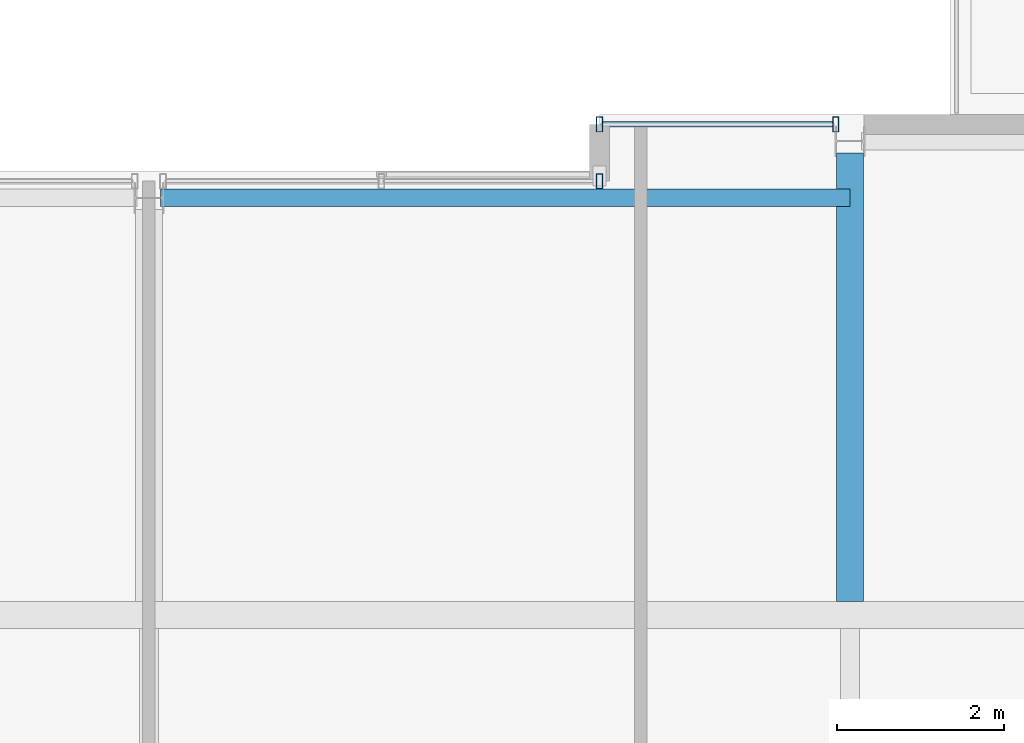
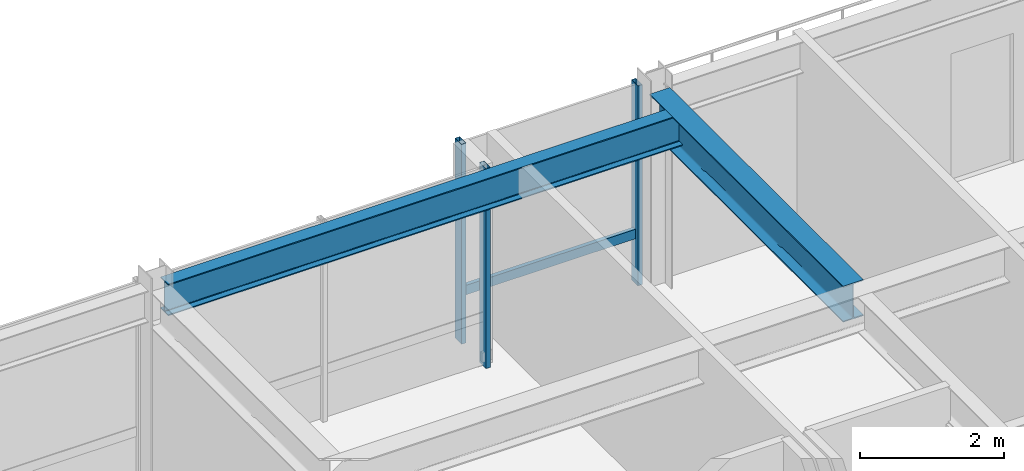
# One storey, part 25 of 34: 4 members, 2 beams, 2 elements without a shape of their own.
"""IFC4 building model written with IfcOpenShell, lengths in metres."""

from ifc_helpers import new_model, si_unit, direction, frame, origin, origin_2d, place, context, subcontext, project, spatial, hollow_rectangle, i_section, extrude, material, layer, layer_set, material_profile, profile_set, type_object, element, aggregate, save


model = new_model("IFC4")

# Units and contexts
model_context = context("Model", 3, precision=1e-05, world=origin(), true_north=direction((0.0, 1.0)))
body_context = subcontext(model_context, "Body", "Model", "MODEL_VIEW")
ifc_project = project(units=[si_unit("LENGTHUNIT", "METRE"), si_unit("AREAUNIT", "SQUARE_METRE"), si_unit("VOLUMEUNIT", "CUBIC_METRE"), si_unit("PLANEANGLEUNIT", "RADIAN"), si_unit("MASSUNIT", "GRAM", prefix="KILO")], contexts=[model_context])

# Site, building, storey
site_placement = place(None, origin())
site = spatial("IfcSite", under=ifc_project, at=site_placement, CompositionType="ELEMENT")
building_placement = place(site_placement, origin())
building = spatial("IfcBuilding", under=site, at=building_placement, Name="Drelvath Grand Hotel", CompositionType="ELEMENT")
storey_placement = place(building_placement, frame((0.0, 0.0, 272.300048828125)))
storey = spatial("IfcBuildingStorey", under=building, at=storey_placement, Name="L71", CompositionType="ELEMENT", Elevation=272.300048828125)

# Curtain wall, member
ifc_material_1 = material(Name="Platinum-Mist Anodised Aluminium Frame", Category="aluminium")
ifc_layer = layer(ifc_material_1, 0.199951171875)
ifc_layer_set = layer_set([ifc_layer], Name="Platinum-Mist Anodised Aluminium Frame")
curtain_wall_type = type_object("IfcCurtainWallType", Name="Stick Curtain Wall CW-05 Platinum Mist High-Rise", PredefinedType="NOTDEFINED", material=ifc_layer_set)
curtain_wall_1_placement = place(storey_placement, origin())
curtain_wall_1 = element("IfcCurtainWall", 1, at=curtain_wall_1_placement, inside=storey, type_object=curtain_wall_type, Name="L71 CW-05 Curtain Wall CW05-L71-NE1", PredefinedType="NOTDEFINED")
ifc_material_profile_1 = material_profile(ifc_material_1, hollow_rectangle(XDim=0.06494140625, YDim=0.159912109375, WallThickness=0.00390625, at=origin_2d()), Name="HSS160X65X4")
ifc_profile_set_1 = profile_set([ifc_material_profile_1], Name="Platinum-Mist Anodised Aluminium Frame")
member_type_1 = type_object("IfcMemberType", Name="Curtain Wall Horizontal Transom CW-05 HSS160X65X4", PredefinedType="USERDEFINED", material=ifc_profile_set_1)
member_1_placement = place(storey_placement, frame((5.43994140625, 49.080078125, 0.847412109375), z_axis=(1.0, 0.0, 0.0), x_axis=(0.0, 1.0, 0.0)))
member_1 = element("IfcMember", 2, at=member_1_placement, type_object=member_type_1, Name="CW05-L71-NE1 Sill Transom", ObjectType="TRANSOM", PredefinedType="USERDEFINED", context=body_context, shape_type="SweptSolid", body=[
    extrude(hollow_rectangle(XDim=0.06494140625, YDim=0.159912109375, WallThickness=0.00390625, at=origin_2d()), origin(), (0.0, 0.0, 1.0), 2.75),
])

curtain_wall_2_placement = place(storey_placement, origin())
curtain_wall_2 = element("IfcCurtainWall", 3, at=curtain_wall_2_placement, inside=storey, type_object=curtain_wall_type, Name="L71 CW-05 Curtain Wall CW05-L71-NM2", PredefinedType="NOTDEFINED")
ifc_material_profile_2 = material_profile(ifc_material_1, hollow_rectangle(XDim=0.074951171875, YDim=0.179931640625, WallThickness=0.0048828125, at=origin_2d()), Name="HSS180X75X5")
ifc_profile_set_2 = profile_set([ifc_material_profile_2], Name="Platinum-Mist Anodised Aluminium Frame")
member_type_2 = type_object("IfcMemberType", Name="Curtain Wall Vertical Mullion CW-05 HSS180X75X5", PredefinedType="MULLION", material=ifc_profile_set_2)
member_2_placement = place(storey_placement, frame((5.39990234375, 48.39990234375, 0.0), z_axis=(0.0, 0.0, 1.0), x_axis=(1.0, 0.0, 0.0)))
member_2 = element("IfcMember", 4, at=member_2_placement, type_object=member_type_2, Name="CW05-L71-NM2 Mullion 3", PredefinedType="MULLION", context=body_context, shape_type="SweptSolid", body=[
    extrude(hollow_rectangle(XDim=0.074951171875, YDim=0.179931640625, WallThickness=0.0048828125, at=origin_2d()), origin(), (0.0, 0.0, 1.0), 3.389892578125),
])
aggregate(curtain_wall_2, [member_2])

# Member
member_3_placement = place(storey_placement, frame((5.39990234375, 49.080078125, 0.0), z_axis=(0.0, 0.0, 1.0), x_axis=(1.0, 0.0, 0.0)))
member_3 = element("IfcMember", 5, at=member_3_placement, type_object=member_type_2, Name="CW05-L71-NE1 Mullion 1", PredefinedType="MULLION", context=body_context, shape_type="SweptSolid", body=[
    extrude(hollow_rectangle(XDim=0.074951171875, YDim=0.179931640625, WallThickness=0.0048828125, at=origin_2d()), origin(), (0.0, 0.0, 1.0), 3.389892578125),
])

member_4_placement = place(storey_placement, frame((8.22998046875, 49.080078125, 0.0), z_axis=(0.0, 0.0, 1.0), x_axis=(1.0, 0.0, 0.0)))
member_4 = element("IfcMember", 6, at=member_4_placement, type_object=member_type_2, Name="CW05-L71-NE1 Mullion 2", PredefinedType="MULLION", context=body_context, shape_type="SweptSolid", body=[
    extrude(hollow_rectangle(XDim=0.074951171875, YDim=0.179931640625, WallThickness=0.0048828125, at=origin_2d()), origin(), (0.0, 0.0, 1.0), 3.389892578125),
])

aggregate(curtain_wall_1, [member_3, member_4, member_1])

# Beams
ifc_material_2 = material(Name="Steel ASTM A992 Gr 50", Category="steel")
ifc_material_profile_3 = material_profile(ifc_material_2, i_section(OverallWidth=0.210205078125, OverallDepth=0.53662109375, WebThickness=0.010986328125, FlangeThickness=0.017333984375, FilletRadius=0.01806640625, at=origin_2d()), Name="W21X68")
ifc_profile_set_3 = profile_set([ifc_material_profile_3], Name="Steel ASTM A992 Gr 50")
beam_type_1 = type_object("IfcBeamType", Name="Perimeter Spandrel Beam W21X68", PredefinedType="SPANDREL", material=ifc_profile_set_3)
beam_1_placement = place(storey_placement, frame((0.139892578125, 48.199951171875, 3.12158203125), z_axis=(1.0, 0.0, 0.0), x_axis=(0.0, 1.0, 0.0)))
element("IfcBeam", 7, at=beam_1_placement, inside=storey, type_object=beam_type_1, Name="L71 Spandrel North Mid E", PredefinedType="SPANDREL", context=body_context, shape_type="SweptSolid", body=[
    extrude(i_section(OverallWidth=0.210205078125, OverallDepth=0.53662109375, WebThickness=0.010986328125, FlangeThickness=0.017333984375, FilletRadius=0.01806640625, at=origin_2d()), origin(), (0.0, 0.0, 1.0), 8.260009765625),
])
ifc_material_profile_4 = material_profile(ifc_material_2, i_section(OverallWidth=0.323974609375, OverallDepth=0.611083984375, WebThickness=0.0126953125, FlangeThickness=0.01904296875, FilletRadius=0.02197265625, at=origin_2d()), Name="W24X104")
ifc_profile_set_4 = profile_set([ifc_material_profile_4], Name="Steel ASTM A992 Gr 50")
beam_type_2 = type_object("IfcBeamType", Name="Primary Floor Girder W24X104", PredefinedType="BEAM", material=ifc_profile_set_4)
beam_2_placement = place(storey_placement, frame((8.39990234375, 43.362060546875, 3.08447265625), z_axis=(0.0, 1.0, 0.0), x_axis=(-1.0, 0.0, 0.0)))
element("IfcBeam", 8, at=beam_2_placement, inside=storey, type_object=beam_type_2, Name="L71 North Wing Girder 6", PredefinedType="BEAM", context=body_context, shape_type="SweptSolid", body=[
    extrude(i_section(OverallWidth=0.323974609375, OverallDepth=0.611083984375, WebThickness=0.0126953125, FlangeThickness=0.01904296875, FilletRadius=0.02197265625, at=origin_2d()), origin(), (0.0, 0.0, 1.0), 5.3779296875),
])

save(model, "model.ifc")
